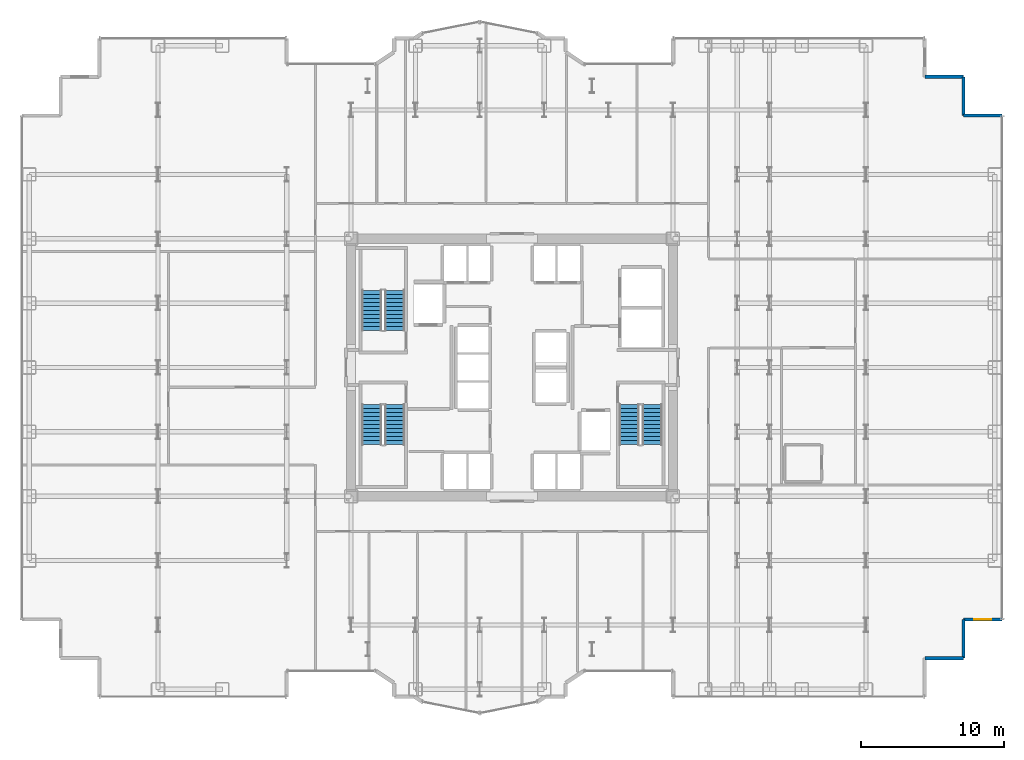
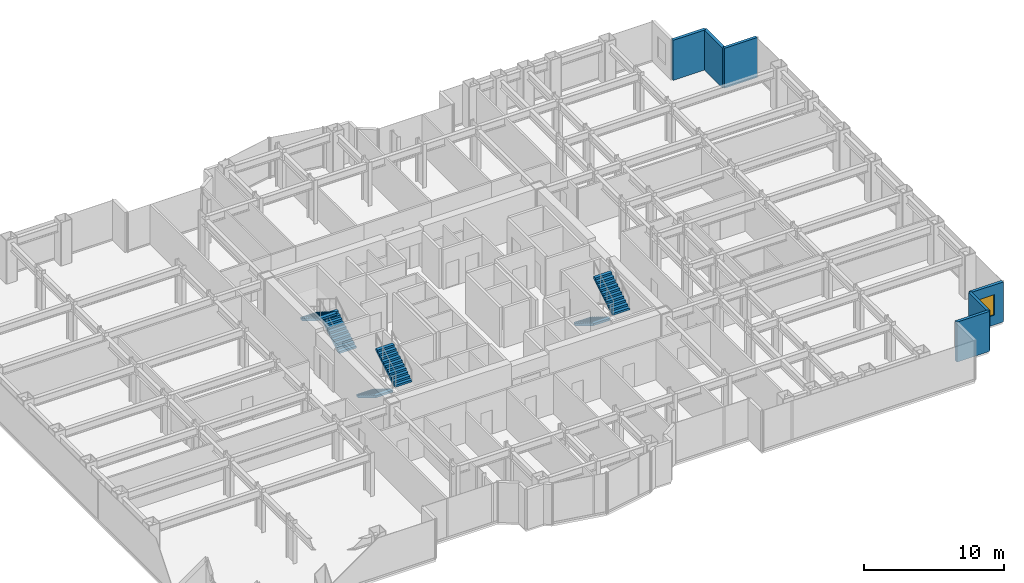
# One storey, part 25 of 26: 6 stair flights, 6 walls, 1 window, 1 opening, 3 elements without a shape of their own.
"""IFC4 building model written with IfcOpenShell, lengths in metres."""

from ifc_helpers import new_model, si_unit, direction, frame, frame_2d, origin, place, context, subcontext, project, spatial, polyline, rectangle, outline, extrude, source, transform, mapped, material, layer, layer_set, type_object, element, fill, aggregate, save


model = new_model("IFC4")

# Units and contexts
model_context = context("Model", 3, precision=1e-05, world=origin(), true_north=direction((0.0, 1.0)))
body_context = subcontext(model_context, "Body", "Model", "MODEL_VIEW")
ifc_project = project(units=[si_unit("LENGTHUNIT", "METRE"), si_unit("AREAUNIT", "SQUARE_METRE"), si_unit("VOLUMEUNIT", "CUBIC_METRE"), si_unit("PLANEANGLEUNIT", "RADIAN"), si_unit("MASSUNIT", "GRAM", prefix="KILO")], contexts=[model_context])

# Site, building, storey
site_placement = place(None, origin())
site = spatial("IfcSite", under=ifc_project, at=site_placement, CompositionType="ELEMENT")
building_placement = place(site_placement, origin())
building = spatial("IfcBuilding", under=site, at=building_placement, Name="Nefas-Gora Pilgrimage Tower", CompositionType="ELEMENT")
storey_placement = place(building_placement, frame((0.0, 0.0, 82.39990234375)))
storey = spatial("IfcBuildingStorey", under=building, at=storey_placement, Name="L19", CompositionType="ELEMENT", Elevation=82.39990234375)

# Walls
ifc_material_1 = material(Name="Precast concrete C45/55", Category="concrete")
ifc_layer = layer(ifc_material_1, 0.239990234375)
ifc_layer_set = layer_set([ifc_layer], Name="Precast concrete C45/55")
wall_type = type_object("IfcWallType", Name="EW-SERR-240", PredefinedType="SHEAR", material=ifc_layer_set)
shared_shape_1 = source(origin(), body_context, "Body", "SweptSolid", [
    extrude(rectangle(XDim=2.699951171875, YDim=0.239990234375, at=frame_2d((1.35009765625, 0.0))), origin(), (0.0, 0.0, 1.0), 3.5),
])
for number, where, z_axis, x_axis, name in (
    (1, (28.8701171875, -20.320068359375, 0.0), (0.0, 0.0, 1.0), (1.0, 0.0, 0.0), "L19 Serrated Corner Shear Pier Wall 3"),
    (2, (31.570068359375, -20.320068359375, 0.0), (0.0, 0.0, 1.0), (0.0, 1.0, 0.0), "L19 Serrated Corner Shear Pier Wall 4"),
):
    element("IfcWall", number, at=place(storey_placement, frame(where, z_axis=z_axis, x_axis=x_axis)), inside=storey, type_object=wall_type, Name=name, PredefinedType="SHEAR", context=body_context, shape_type="MappedRepresentation", body=[
        mapped(shared_shape_1, transform((0.0, 0.0, 0.0), x_axis=(1.0, 0.0, 0.0), y_axis=(0.0, 1.0, 0.0), z_axis=(0.0, 0.0, 1.0), scale=1.0)),
    ])

# Wall, opening, window
wall_placement = place(storey_placement, frame((31.570068359375, -17.6201171875, 0.0), z_axis=(0.0, 0.0, 1.0), x_axis=(1.0, 0.0, 0.0)))
wall = element("IfcWall", 3, at=wall_placement, inside=storey, type_object=wall_type, Name="L19 Serrated Corner Shear Pier Wall 5", PredefinedType="SHEAR", context=body_context, shape_type="MappedRepresentation", body=[
    mapped(shared_shape_1, transform((0.0, 0.0, 0.0), x_axis=(1.0, 0.0, 0.0), y_axis=(0.0, 1.0, 0.0), z_axis=(0.0, 0.0, 1.0), scale=1.0)),
])
opening_placement = place(wall_placement, frame((0.75, 0.0, 0.85009765625)))
opening = element("IfcOpeningElement", 4, at=opening_placement, cuts=wall, Name="Opening W-V1", PredefinedType="OPENING", context=body_context, shape_type="SweptSolid", body=[
    extrude(rectangle(XDim=1.199951171875, YDim=1.800048828125, at=frame_2d((0.60009765625, 0.89990234375))), frame((0.0, 0.1298828125, 0.0), z_axis=(0.0, -1.0, 0.0), x_axis=(1.0, 0.0, 0.0)), (0.0, 0.0, 1.0), 0.260009765625),
])
ifc_material_2 = material(Name="Dark ceramic-fritted operable aluminium-glass window", Category="aluminium")
window_type = type_object("IfcWindowType", Name="WIN-VENT-1200x1800", PartitioningType="SINGLE_PANEL", PredefinedType="WINDOW", material=ifc_material_2)
shared_shape_2 = source(origin(), body_context, "Body", "SweptSolid", [
    extrude(rectangle(XDim=1.199951171875, YDim=1.800048828125, at=frame_2d((0.60009765625, 0.89990234375))), frame((0.0, 0.030029296875, 0.0), z_axis=(0.0, -1.0, 0.0), x_axis=(1.0, 0.0, 0.0)), (0.0, 0.0, 1.0), 0.06005859375),
])
window_placement = place(opening_placement, origin())
window = element("IfcWindow", 5, at=window_placement, inside=storey, type_object=window_type, Name="L19 Operable Parallel-Outswing Window 5", OverallHeight=1.800048828125, OverallWidth=1.199951171875, PartitioningType="SINGLE_PANEL", PredefinedType="WINDOW", context=body_context, shape_type="MappedRepresentation", body=[
    mapped(shared_shape_2, transform((0.0, 0.0, 0.0), x_axis=(1.0, 0.0, 0.0), y_axis=(0.0, 1.0, 0.0), z_axis=(0.0, 0.0, 1.0), scale=1.0)),
])
fill(opening, window)

# Walls
for number, where, z_axis, x_axis, name in (
    (6, (34.27001953125, 17.6201171875, 0.0), (0.0, 0.0, 1.0), (-1.0, 0.0, 0.0), "L19 Serrated Corner Shear Pier Wall 6"),
    (7, (31.570068359375, 17.6201171875, 0.0), (0.0, 0.0, 1.0), (0.0, 1.0, 0.0), "L19 Serrated Corner Shear Pier Wall 7"),
    (8, (31.570068359375, 20.320068359375, 0.0), (0.0, 0.0, 1.0), (-1.0, 0.0, 0.0), "L19 Serrated Corner Shear Pier Wall 8"),
):
    element("IfcWall", number, at=place(storey_placement, frame(where, z_axis=z_axis, x_axis=x_axis)), inside=storey, type_object=wall_type, Name=name, PredefinedType="SHEAR", context=body_context, shape_type="MappedRepresentation", body=[
        mapped(shared_shape_1, transform((0.0, 0.0, 0.0), x_axis=(1.0, 0.0, 0.0), y_axis=(0.0, 1.0, 0.0), z_axis=(0.0, 0.0, 1.0), scale=1.0)),
    ])

# Stair, stair flights
ifc_material_3 = material(Name="Concrete C45/55", Category="concrete")
stair_type = type_object("IfcStairType", Name="STR-1400-R1727", PredefinedType="HALF_TURN_STAIR", material=ifc_material_3)
stair_1_placement = place(storey_placement, origin())
stair_1 = element("IfcStair", 9, at=stair_1_placement, inside=storey, type_object=stair_type, Name="L19 Pressurised Tower Exit Stair ST-01", PredefinedType="HALF_TURN_STAIR")
stair_flight_type = type_object("IfcStairFlightType", Name="STF-1400-R1727", PredefinedType="STRAIGHT", material=ifc_material_3)
shared_shape_3 = source(origin(), body_context, "Body", "SweptSolid", [
    extrude(outline(polyline([(0.0, 0.0), (0.0, 0.172607421875), (0.280029296875, 0.172607421875), (0.280029296875, 0.345458984375), (0.56005859375, 0.345458984375), (0.56005859375, 0.51806640625), (0.840087890625, 0.51806640625), (0.840087890625, 0.69091796875), (1.1201171875, 0.69091796875), (1.1201171875, 0.863525390625), (1.39990234375, 0.863525390625), (1.39990234375, 1.036376953125), (1.679931640625, 1.036376953125), (1.679931640625, 1.208984375), (1.9599609375, 1.208984375), (1.9599609375, 1.3818359375), (2.239990234375, 1.3818359375), (2.239990234375, 1.554443359375), (2.52001953125, 1.554443359375), (2.52001953125, 1.727294921875), (2.800048828125, 1.727294921875), (2.800048828125, 1.89990234375), (2.800048828125, 1.551025390625), (0.285400390625, 0.0), (0.0, 0.0)])), frame((0.0, 0.699951171875, 0.0), z_axis=(0.0, -1.0, 0.0), x_axis=(1.0, 0.0, 0.0)), (0.0, 0.0, 1.0), 1.39990234375),
])
stair_flight_1_placement = place(storey_placement, frame((-8.199951171875, 2.60009765625, 0.0), z_axis=(0.0, 0.0, 1.0), x_axis=(0.0, 1.0, 0.0)))
stair_flight_1 = element("IfcStairFlight", 10, at=stair_flight_1_placement, type_object=stair_flight_type, Name="ST-01 flight 1", NumberOfRisers=11, NumberOfTreads=10, PredefinedType="STRAIGHT", RiserHeight=0.172727273, TreadLength=0.28, context=body_context, shape_type="MappedRepresentation", body=[
    mapped(shared_shape_3, transform((0.0, 0.0, 0.0), x_axis=(1.0, 0.0, 0.0), y_axis=(0.0, 1.0, 0.0), z_axis=(0.0, 0.0, 1.0), scale=1.0)),
])
stair_flight_2_placement = place(storey_placement, frame((-9.800048828125, 5.39990234375, 1.900146484375), z_axis=(0.0, 0.0, 1.0), x_axis=(0.0, -1.0, 0.0)))
stair_flight_2 = element("IfcStairFlight", 11, at=stair_flight_2_placement, type_object=stair_flight_type, Name="ST-01 flight 2", NumberOfRisers=11, NumberOfTreads=10, PredefinedType="STRAIGHT", RiserHeight=0.172727273, TreadLength=0.28, context=body_context, shape_type="MappedRepresentation", body=[
    mapped(shared_shape_3, transform((0.0, 0.0, 0.0), x_axis=(1.0, 0.0, 0.0), y_axis=(0.0, 1.0, 0.0), z_axis=(0.0, 0.0, 1.0), scale=1.0)),
])
aggregate(stair_1, [stair_flight_1, stair_flight_2])

stair_2_placement = place(storey_placement, origin())
stair_2 = element("IfcStair", 12, at=stair_2_placement, inside=storey, type_object=stair_type, Name="L19 Pressurised Tower Exit Stair ST-02", PredefinedType="HALF_TURN_STAIR")
stair_flight_3_placement = place(storey_placement, frame((8.199951171875, -2.60009765625, 0.0), z_axis=(0.0, 0.0, 1.0), x_axis=(0.0, -1.0, 0.0)))
stair_flight_3 = element("IfcStairFlight", 13, at=stair_flight_3_placement, type_object=stair_flight_type, Name="ST-02 flight 1", NumberOfRisers=11, NumberOfTreads=10, PredefinedType="STRAIGHT", RiserHeight=0.172727273, TreadLength=0.28, context=body_context, shape_type="MappedRepresentation", body=[
    mapped(shared_shape_3, transform((0.0, 0.0, 0.0), x_axis=(1.0, 0.0, 0.0), y_axis=(0.0, 1.0, 0.0), z_axis=(0.0, 0.0, 1.0), scale=1.0)),
])
stair_flight_4_placement = place(storey_placement, frame((9.800048828125, -5.39990234375, 1.900146484375), z_axis=(0.0, 0.0, 1.0), x_axis=(0.0, 1.0, 0.0)))
stair_flight_4 = element("IfcStairFlight", 14, at=stair_flight_4_placement, type_object=stair_flight_type, Name="ST-02 flight 2", NumberOfRisers=11, NumberOfTreads=10, PredefinedType="STRAIGHT", RiserHeight=0.172727273, TreadLength=0.28, context=body_context, shape_type="MappedRepresentation", body=[
    mapped(shared_shape_3, transform((0.0, 0.0, 0.0), x_axis=(1.0, 0.0, 0.0), y_axis=(0.0, 1.0, 0.0), z_axis=(0.0, 0.0, 1.0), scale=1.0)),
])
aggregate(stair_2, [stair_flight_3, stair_flight_4])

stair_3_placement = place(storey_placement, origin())
stair_3 = element("IfcStair", 15, at=stair_3_placement, inside=storey, type_object=stair_type, Name="L19 Pressurised Tower Exit Stair ST-03", PredefinedType="HALF_TURN_STAIR")
stair_flight_5_placement = place(storey_placement, frame((-9.800048828125, -2.60009765625, 0.0), z_axis=(0.0, 0.0, 1.0), x_axis=(0.0, -1.0, 0.0)))
stair_flight_5 = element("IfcStairFlight", 16, at=stair_flight_5_placement, type_object=stair_flight_type, Name="ST-03 flight 1", NumberOfRisers=11, NumberOfTreads=10, PredefinedType="STRAIGHT", RiserHeight=0.172727273, TreadLength=0.28, context=body_context, shape_type="MappedRepresentation", body=[
    mapped(shared_shape_3, transform((0.0, 0.0, 0.0), x_axis=(1.0, 0.0, 0.0), y_axis=(0.0, 1.0, 0.0), z_axis=(0.0, 0.0, 1.0), scale=1.0)),
])
stair_flight_6_placement = place(storey_placement, frame((-8.199951171875, -5.39990234375, 1.900146484375), z_axis=(0.0, 0.0, 1.0), x_axis=(0.0, 1.0, 0.0)))
stair_flight_6 = element("IfcStairFlight", 17, at=stair_flight_6_placement, type_object=stair_flight_type, Name="ST-03 flight 2", NumberOfRisers=11, NumberOfTreads=10, PredefinedType="STRAIGHT", RiserHeight=0.172727273, TreadLength=0.28, context=body_context, shape_type="MappedRepresentation", body=[
    mapped(shared_shape_3, transform((0.0, 0.0, 0.0), x_axis=(1.0, 0.0, 0.0), y_axis=(0.0, 1.0, 0.0), z_axis=(0.0, 0.0, 1.0), scale=1.0)),
])
aggregate(stair_3, [stair_flight_5, stair_flight_6])

save(model, "model.ifc")
